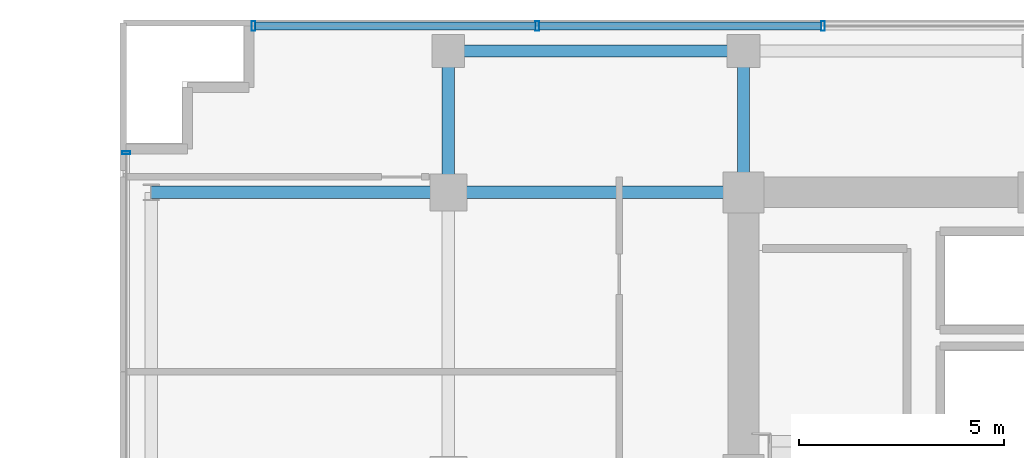
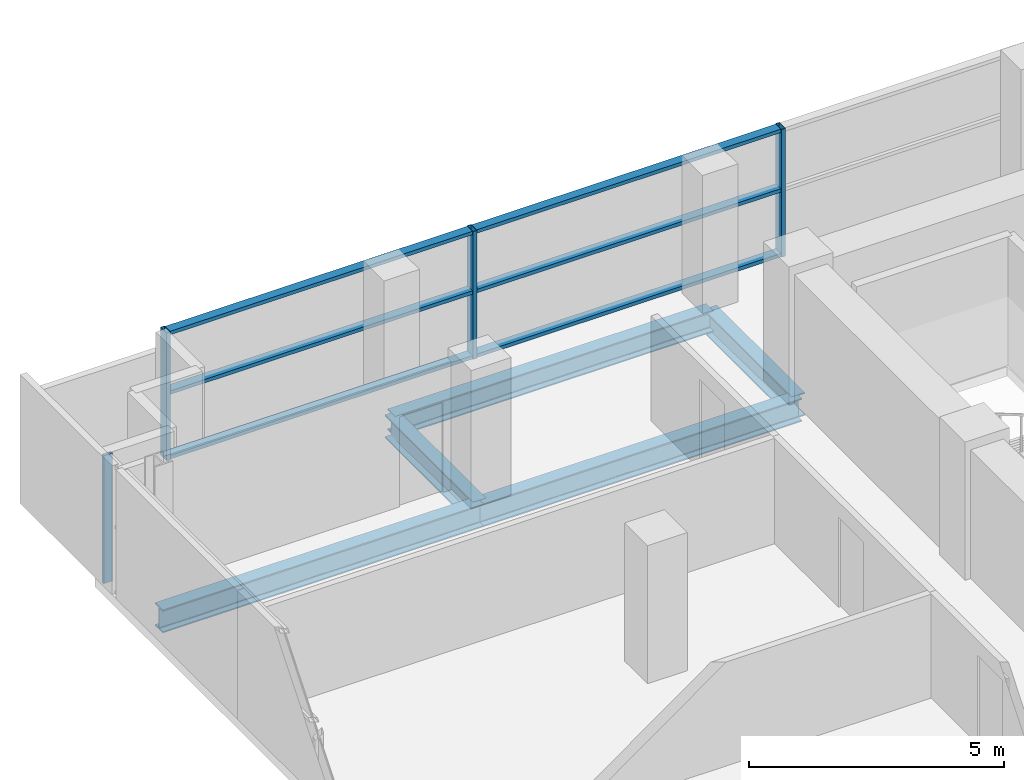
# One storey, part 15 of 28: 10 members, 5 beams, 2 elements without a shape of their own.
"""IFC4 building model written with IfcOpenShell, lengths in metres."""

import ifcopenshell
import ifcopenshell.guid

model = None  # the IFC model being written
_history = None  # IfcOwnerHistory: only IFC2X3 demands one
_inside = {}  # id of a spatial element -> (the spatial element, [elements in it])
_under = {}  # id of a project, library or spatial element -> (it, [spatial elements below it])
_declared = {}  # id of a project -> (the project, [libraries it declares])
_typed = {}  # id of a type object -> (the type object, [elements of that type])
_made_of = {}  # id of a material, layer set ... -> (it, [elements and type objects made of it])


def new_model(schema):
    """Start an empty IFC model of exactly this schema.

    Asked for "IFC4X3", IfcOpenShell would pick the latest addendum, in which some entities
    have other attributes; the version numbers below select the first issue.
    IFC2X3 requires an IfcOwnerHistory on every rooted entity: one is made here for all.
    """
    global model, _history
    if schema == "IFC4X3":
        model = ifcopenshell.file(schema_version=(4, 3, 0, 0))
    else:
        model = ifcopenshell.file(schema=schema)
    _inside.clear()
    _under.clear()
    _declared.clear()
    _typed.clear()
    _made_of.clear()
    _history = None
    if model.schema == "IFC2X3":
        org = make("IfcOrganization", Name="unknown")
        user = make(
            "IfcPersonAndOrganization",
            ThePerson=make("IfcPerson", FamilyName="unknown"),
            TheOrganization=org,
        )
        app = make(
            "IfcApplication",
            ApplicationDeveloper=org,
            Version="unknown",
            ApplicationFullName="unknown",
            ApplicationIdentifier="unknown",
        )
        _history = make(
            "IfcOwnerHistory",
            OwningUser=user,
            OwningApplication=app,
            ChangeAction="ADDED",
            CreationDate=0,
        )
    return model


def make(cls, **values):
    """One entity of the class cls with the attributes given. An attribute that is None is left unset."""
    return model.create_entity(
        cls, **{name: value for name, value in values.items() if value is not None}
    )


def rooted(cls, **values):
    """An entity with a GlobalId (a new one), such as an element, a storey or a relation."""
    return make(cls, GlobalId=ifcopenshell.guid.new(), OwnerHistory=_history, **values)


def si_unit(unit_type, name, prefix=None):
    """IfcSIUnit, for example si_unit("LENGTHUNIT", "METRE", prefix="MILLI")."""
    return make("IfcSIUnit", UnitType=unit_type, Prefix=prefix, Name=name)


def assignment(units):
    """IfcUnitAssignment: the units of a project."""
    return None if units is None else make("IfcUnitAssignment", Units=units)


def point(xyz):
    """IfcCartesianPoint."""
    return None if xyz is None else make("IfcCartesianPoint", Coordinates=xyz)


def direction(xyz):
    """IfcDirection."""
    return None if xyz is None else make("IfcDirection", DirectionRatios=xyz)


def frame(location, z_axis=None, x_axis=None):
    """IfcAxis2Placement3D, a coordinate frame: its origin and axes. An axis left out is left unset."""
    return make(
        "IfcAxis2Placement3D",
        Location=point(location),
        Axis=direction(z_axis),
        RefDirection=direction(x_axis),
    )


def frame_2d(location, x_axis=None):
    """IfcAxis2Placement2D, a coordinate frame in the plane: its origin and x axis."""
    return make(
        "IfcAxis2Placement2D", Location=point(location), RefDirection=direction(x_axis)
    )


def origin():
    """The frame at (0, 0, 0) with its axes left unset."""
    return frame((0.0, 0.0, 0.0))


def origin_2d():
    """The frame at (0, 0) in the plane with its x axis left unset."""
    return frame_2d((0.0, 0.0))


def place(relative_to, where):
    """IfcLocalPlacement: puts the frame where relative to a parent placement (None: the world)."""
    return make(
        "IfcLocalPlacement", PlacementRelTo=relative_to, RelativePlacement=where
    )


def context(
    kind, dimensions, precision=None, world=None, true_north=None, identifier=None
):
    """IfcGeometricRepresentationContext, for example the 3D "Model" context."""
    return make(
        "IfcGeometricRepresentationContext",
        ContextIdentifier=identifier,
        ContextType=kind,
        CoordinateSpaceDimension=dimensions,
        Precision=precision,
        WorldCoordinateSystem=world,
        TrueNorth=true_north,
    )


def subcontext(parent, identifier, kind, view, scale=None):
    """IfcGeometricRepresentationSubContext, for example "Body" below "Model"."""
    return make(
        "IfcGeometricRepresentationSubContext",
        ContextIdentifier=identifier,
        ContextType=kind,
        ParentContext=parent,
        TargetScale=scale,
        TargetView=view,
    )


def project(units=None, contexts=None):
    """IfcProject with its units and contexts."""
    return rooted(
        "IfcProject",
        Name="project",
        RepresentationContexts=contexts,
        UnitsInContext=assignment(units),
    )


def spatial(cls, under=None, at=None, **own):
    """A site, building, storey or space (cls), placed at a placement, below another one or the project."""
    s = rooted(cls, ObjectPlacement=at, **own)
    if under is not None:
        _under.setdefault(under.id(), (under, []))[1].append(s)
    return s


def profile(cls, at=None, kind="AREA", **sizes):
    """A parametric profile (cls). Its sizes go by their IFC names, for example OverallWidth=200.0."""
    return make(cls, ProfileType=kind, Position=at, **sizes)


def hollow_rectangle(**sizes):
    """IfcRectangleHollowProfileDef."""
    return profile("IfcRectangleHollowProfileDef", **sizes)


def i_section(**sizes):
    """IfcIShapeProfileDef."""
    return profile("IfcIShapeProfileDef", **sizes)


def extrude(swept, where, along, depth):
    """IfcExtrudedAreaSolid: the profile swept, set in the frame where, extruded along a direction by depth."""
    return make(
        "IfcExtrudedAreaSolid",
        SweptArea=swept,
        Position=where,
        ExtrudedDirection=direction(along),
        Depth=depth,
    )


def shape(context_of_items, identifier, shape_type, items):
    """IfcShapeRepresentation: the items that make up one representation, for example the "Body"."""
    return make(
        "IfcShapeRepresentation",
        ContextOfItems=context_of_items,
        RepresentationIdentifier=identifier,
        RepresentationType=shape_type,
        Items=items,
    )


def source(mapping_origin, context_of_items, identifier, shape_type, items):
    """IfcRepresentationMap: a shape defined once, which mapped items show again and again."""
    return make(
        "IfcRepresentationMap",
        MappingOrigin=mapping_origin,
        MappedRepresentation=shape(context_of_items, identifier, shape_type, items),
    )


def transform(
    local_origin,
    x_axis=None,
    y_axis=None,
    z_axis=None,
    scale=None,
    scale2=None,
    scale3=None,
    uniform=True,
):
    """IfcCartesianTransformationOperator3D, or its non-uniform kind. x_axis, y_axis, z_axis: its Axis1, 2, 3."""
    if uniform:
        return make(
            "IfcCartesianTransformationOperator3D",
            Axis1=direction(x_axis),
            Axis2=direction(y_axis),
            LocalOrigin=point(local_origin),
            Scale=scale,
            Axis3=direction(z_axis),
        )
    return make(
        "IfcCartesianTransformationOperator3DnonUniform",
        Axis1=direction(x_axis),
        Axis2=direction(y_axis),
        LocalOrigin=point(local_origin),
        Scale=scale,
        Axis3=direction(z_axis),
        Scale2=scale2,
        Scale3=scale3,
    )


def mapped(mapping_source, mapping_target):
    """IfcMappedItem: shows the shape of a source again, moved by a transform."""
    return make(
        "IfcMappedItem", MappingSource=mapping_source, MappingTarget=mapping_target
    )


def material(Name=None, Category=None):
    """IfcMaterial."""
    return make("IfcMaterial", Name=Name, Category=Category)


def layer(
    of_material, thickness, ventilated=None, Name=None, Category=None, Priority=None
):
    """IfcMaterialLayer: one layer of a wall or slab, of a material (None: an air gap)."""
    return make(
        "IfcMaterialLayer",
        Material=of_material,
        LayerThickness=thickness,
        IsVentilated=ventilated,
        Name=Name,
        Category=Category,
        Priority=Priority,
    )


def layer_set(layers, Name=None):
    """IfcMaterialLayerSet."""
    return make("IfcMaterialLayerSet", MaterialLayers=layers, LayerSetName=Name)


def material_profile(
    of_material, cross_section, Name=None, Category=None, Priority=None
):
    """IfcMaterialProfile: a cross section and its material."""
    return make(
        "IfcMaterialProfile",
        Name=Name,
        Material=of_material,
        Profile=cross_section,
        Priority=Priority,
        Category=Category,
    )


def profile_set(profiles, Name=None, composite=None):
    """IfcMaterialProfileSet."""
    return make(
        "IfcMaterialProfileSet",
        Name=Name,
        MaterialProfiles=profiles,
        CompositeProfile=composite,
    )


def made_of(thing, what):
    """Note that an element or type object is made of a material, layer set ...; save() writes the relation."""
    if what is not None:
        _made_of.setdefault(what.id(), (what, []))[1].append(thing)
    return thing


def type_object(cls, material=None, **own):
    """A type object (cls), such as IfcWallType, which elements share."""
    return made_of(rooted(cls, **own), material)


def element(
    cls,
    number,
    at=None,
    inside=None,
    cuts=None,
    type_object=None,
    material=None,
    context=None,
    identifier="Body",
    shape_type=None,
    held_by="IfcProductDefinitionShape",
    body=None,
    shapes=None,
    **own,
):
    """One element of the class cls, such as IfcWall. Its Tag is "e" and its number.

    at: its placement. inside: the storey or other place that contains it. cuts: it is an
    opening in that element (IfcRelVoidsElement). A single representation is given by context,
    identifier, shape_type and body (its items); several are given by shapes. held_by: the class
    of the entity that holds the representations. save() writes the other relations.
    """
    e = rooted(cls, Tag="e%d" % number, ObjectPlacement=at, **own)
    if body is not None:
        shapes = [shape(context, identifier, shape_type, body)]
    if shapes is not None:
        e.Representation = make(held_by, Representations=shapes)
    if inside is not None:
        _inside.setdefault(inside.id(), (inside, []))[1].append(e)
    if cuts is not None:
        rooted(
            "IfcRelVoidsElement", RelatingBuildingElement=cuts, RelatedOpeningElement=e
        )
    if type_object is not None:
        _typed.setdefault(type_object.id(), (type_object, []))[1].append(e)
    return made_of(e, material)


def aggregate(whole, parts):
    """IfcRelAggregates: a whole, such as a stair, and the parts it consists of."""
    return rooted("IfcRelAggregates", RelatingObject=whole, RelatedObjects=parts)


def save(model, path):
    """Write the relations noted so far, then the file.

    IfcRelAggregates (storeys below a building ...), IfcRelContainedInSpatialStructure (elements
    in a storey), IfcRelDefinesByType, IfcRelAssociatesMaterial and IfcRelDeclares: one each for
    every whole, place, type object, material and project.
    """
    for whole, parts in _under.values():
        aggregate(whole, parts)
    for where, things in _inside.values():
        rooted(
            "IfcRelContainedInSpatialStructure",
            RelatedElements=things,
            RelatingStructure=where,
        )
    for kind, things in _typed.values():
        rooted("IfcRelDefinesByType", RelatedObjects=things, RelatingType=kind)
    for what, things in _made_of.values():
        rooted("IfcRelAssociatesMaterial", RelatedObjects=things, RelatingMaterial=what)
    for by, libraries in _declared.values():
        rooted("IfcRelDeclares", RelatingContext=by, RelatedDefinitions=libraries)
    model.write(path)


model = new_model("IFC4")

# Units and contexts
model_context = context("Model", 3, precision=1e-05, world=origin(), true_north=direction((0.0, 1.0)))
body_context = subcontext(model_context, "Body", "Model", "MODEL_VIEW")
ifc_project = project(units=[si_unit("LENGTHUNIT", "METRE"), si_unit("AREAUNIT", "SQUARE_METRE"), si_unit("VOLUMEUNIT", "CUBIC_METRE"), si_unit("PLANEANGLEUNIT", "RADIAN"), si_unit("MASSUNIT", "GRAM", prefix="KILO")], contexts=[model_context])

# Site, building, storey
site_placement = place(None, origin())
site = spatial("IfcSite", under=ifc_project, at=site_placement, CompositionType="ELEMENT")
building_placement = place(site_placement, origin())
building = spatial("IfcBuilding", under=site, at=building_placement, Name="Zarnakvel Exchange Tower", CompositionType="ELEMENT")
storey_placement = place(building_placement, frame((0.0, 0.0, 109.89990234375)))
storey = spatial("IfcBuildingStorey", under=building, at=storey_placement, Name="L30", CompositionType="ELEMENT", Elevation=109.89990234375)

# Beams
ifc_material_1 = material(Name="Steel S355", Category="steel")
ifc_material_profile_1 = material_profile(ifc_material_1, i_section(OverallWidth=0.300048828125, OverallDepth=0.550048828125, WebThickness=0.014892578125, FlangeThickness=0.029052734375, FilletRadius=0.027099609375, at=origin_2d()))
ifc_profile_set_1 = profile_set([ifc_material_profile_1], Name="Steel S355")
beam_type_1 = type_object("IfcBeamType", Name="G-05", PredefinedType="BEAM", material=ifc_profile_set_1)
beam_1_placement = place(storey_placement, frame((-28.85009765625, 13.5, -0.5), z_axis=(1.0, 0.0, 0.0), x_axis=(0.0, 1.0, 0.0)))
element("IfcBeam", 1, at=beam_1_placement, inside=storey, type_object=beam_type_1, Name="L30 Tower E-W Frame Beam", PredefinedType="BEAM", context=body_context, shape_type="SweptSolid", body=[
    extrude(i_section(OverallWidth=0.300048828125, OverallDepth=0.550048828125, WebThickness=0.014892578125, FlangeThickness=0.029052734375, FilletRadius=0.027099609375, at=origin_2d()), origin(), (0.0, 0.0, 1.0), 7.25),
])
beam_2_placement = place(storey_placement, frame((-21.60009765625, 13.5, -0.5), z_axis=(1.0, 0.0, 0.0), x_axis=(0.0, 1.0, 0.0)))
element("IfcBeam", 2, at=beam_2_placement, inside=storey, type_object=beam_type_1, Name="L30 Tower E-W Frame Beam", PredefinedType="BEAM", context=body_context, shape_type="SweptSolid", body=[
    extrude(i_section(OverallWidth=0.300048828125, OverallDepth=0.550048828125, WebThickness=0.014892578125, FlangeThickness=0.029052734375, FilletRadius=0.027099609375, at=origin_2d()), origin(), (0.0, 0.0, 1.0), 7.2001953125),
])
for number, where, z_axis, x_axis, name in (
    (3, (-21.60009765625, 13.5, -0.5), (0.0, 1.0, 0.0), (-1.0, 0.0, 0.0), "L30 Tower N-S Frame Beam"),
    (4, (-14.39990234375, 13.5, -0.5), (0.0, 1.0, 0.0), (-1.0, 0.0, 0.0), "L30 Tower N-S Frame Beam"),
):
    element("IfcBeam", number, at=place(storey_placement, frame(where, z_axis=z_axis, x_axis=x_axis)), inside=storey, type_object=beam_type_1, Name=name, PredefinedType="BEAM", context=body_context, shape_type="SweptSolid", body=[
        extrude(i_section(OverallWidth=0.300048828125, OverallDepth=0.550048828125, WebThickness=0.014892578125, FlangeThickness=0.029052734375, FilletRadius=0.027099609375, at=origin_2d()), origin(), (0.0, 0.0, 1.0), 3.449951171875),
    ])
ifc_material_profile_2 = material_profile(ifc_material_1, i_section(OverallWidth=0.300048828125, OverallDepth=0.5, WebThickness=0.014404296875, FlangeThickness=0.028076171875, FilletRadius=0.027099609375, at=origin_2d()))
ifc_profile_set_2 = profile_set([ifc_material_profile_2], Name="Steel S355")
beam_type_2 = type_object("IfcBeamType", Name="SP-02", PredefinedType="SPANDREL", material=ifc_profile_set_2)
beam_3_placement = place(storey_placement, frame((-21.60009765625, 16.949951171875, -0.474853515625), z_axis=(1.0, 0.0, 0.0), x_axis=(0.0, 1.0, 0.0)))
element("IfcBeam", 5, at=beam_3_placement, inside=storey, type_object=beam_type_2, Name="L30 Tower E-W Frame Beam", PredefinedType="SPANDREL", context=body_context, shape_type="SweptSolid", body=[
    extrude(i_section(OverallWidth=0.300048828125, OverallDepth=0.5, WebThickness=0.014404296875, FlangeThickness=0.028076171875, FilletRadius=0.027099609375, at=origin_2d()), origin(), (0.0, 0.0, 1.0), 7.2001953125),
])

# Curtain wall, members
ifc_material_2 = material(Name="Architectural Bronze Anodised Aluminium", Category="aluminium")
ifc_layer_1 = layer(ifc_material_2, 0.239990234375)
ifc_layer_set_1 = layer_set([ifc_layer_1], Name="Architectural Bronze Anodised Aluminium")
curtain_wall_type_1 = type_object("IfcCurtainWallType", Name="CW-02", PredefinedType="NOTDEFINED", material=ifc_layer_set_1)
curtain_wall_1_placement = place(storey_placement, origin())
curtain_wall_1 = element("IfcCurtainWall", 6, at=curtain_wall_1_placement, inside=storey, type_object=curtain_wall_type_1, Name="L30 Curtain Wall CW-L30-N1 (CW-02)", PredefinedType="NOTDEFINED")
ifc_material_profile_3 = material_profile(ifc_material_2, hollow_rectangle(XDim=0.239990234375, YDim=0.090087890625, WallThickness=0.006103515625, at=origin_2d()))
ifc_profile_set_3 = profile_set([ifc_material_profile_3], Name="Architectural Bronze Anodised Aluminium")
member_type_1 = type_object("IfcMemberType", Name="CWM-02", PredefinedType="MULLION", material=ifc_profile_set_3)
shared_shape_1 = source(origin(), body_context, "Body", "SweptSolid", [
    extrude(hollow_rectangle(XDim=0.239990234375, YDim=0.090087890625, WallThickness=0.006103515625, at=origin_2d()), origin(), (0.0, 0.0, 1.0), 3.05517578125),
])
member_1_placement = place(storey_placement, frame((-26.35498046875, 17.56005859375, 0.0), z_axis=(0.0, 0.0, 1.0), x_axis=(0.0, 1.0, 0.0)))
member_1 = element("IfcMember", 7, at=member_1_placement, type_object=member_type_1, Name="CW-02 mullion 1", PredefinedType="MULLION", context=body_context, shape_type="MappedRepresentation", body=[
    mapped(shared_shape_1, transform((0.0, 0.0, 0.0), x_axis=(1.0, 0.0, 0.0), y_axis=(0.0, 1.0, 0.0), z_axis=(0.0, 0.0, 1.0), scale=1.0)),
])
member_2_placement = place(storey_placement, frame((-19.428466796875, 17.56005859375, 0.0), z_axis=(0.0, 0.0, 1.0), x_axis=(0.0, 1.0, 0.0)))
member_2 = element("IfcMember", 8, at=member_2_placement, type_object=member_type_1, Name="CW-02 mullion 2", PredefinedType="MULLION", context=body_context, shape_type="MappedRepresentation", body=[
    mapped(shared_shape_1, transform((0.0, 0.0, 0.0), x_axis=(1.0, 0.0, 0.0), y_axis=(0.0, 1.0, 0.0), z_axis=(0.0, 0.0, 1.0), scale=1.0)),
])
member_3_placement = place(storey_placement, frame((-12.45703125, 17.56005859375, 0.0), z_axis=(0.0, 0.0, 1.0), x_axis=(0.0, 1.0, 0.0)))
member_3 = element("IfcMember", 9, at=member_3_placement, type_object=member_type_1, Name="CW-02 mullion 3", PredefinedType="MULLION", context=body_context, shape_type="MappedRepresentation", body=[
    mapped(shared_shape_1, transform((0.0, 0.0, 0.0), x_axis=(1.0, 0.0, 0.0), y_axis=(0.0, 1.0, 0.0), z_axis=(0.0, 0.0, 1.0), scale=1.0)),
])

# Curtain wall, member
ifc_layer_2 = layer(ifc_material_2, 0.199951171875)
ifc_layer_set_2 = layer_set([ifc_layer_2], Name="Architectural Bronze Anodised Aluminium")
curtain_wall_type_2 = type_object("IfcCurtainWallType", Name="CW-04", PredefinedType="NOTDEFINED", material=ifc_layer_set_2)
curtain_wall_2_placement = place(storey_placement, origin())
curtain_wall_2 = element("IfcCurtainWall", 10, at=curtain_wall_2_placement, inside=storey, type_object=curtain_wall_type_2, Name="L30 Curtain Wall CW-L30-WN (CW-04)", PredefinedType="NOTDEFINED")
ifc_material_profile_4 = material_profile(ifc_material_2, hollow_rectangle(XDim=0.199951171875, YDim=0.074951171875, WallThickness=0.0048828125, at=origin_2d()))
ifc_profile_set_4 = profile_set([ifc_material_profile_4], Name="Architectural Bronze Anodised Aluminium")
member_type_2 = type_object("IfcMemberType", Name="CWM-04", PredefinedType="MULLION", material=ifc_profile_set_4)
shared_shape_2 = source(origin(), body_context, "Body", "SweptSolid", [
    extrude(hollow_rectangle(XDim=0.199951171875, YDim=0.074951171875, WallThickness=0.0048828125, at=origin_2d()), origin(), (0.0, 0.0, 1.0), 3.05517578125),
])
member_4_placement = place(storey_placement, frame((-29.4599609375, 14.46240234375, 0.0), z_axis=(0.0, 0.0, 1.0), x_axis=(-1.0, 0.0, 0.0)))
member_4 = element("IfcMember", 11, at=member_4_placement, type_object=member_type_2, Name="CW-04 mullion 3", PredefinedType="MULLION", context=body_context, shape_type="MappedRepresentation", body=[
    mapped(shared_shape_2, transform((0.0, 0.0, 0.0), x_axis=(1.0, 0.0, 0.0), y_axis=(0.0, 1.0, 0.0), z_axis=(0.0, 0.0, 1.0), scale=1.0)),
])
aggregate(curtain_wall_2, [member_4])

# Member
ifc_material_profile_5 = material_profile(ifc_material_2, hollow_rectangle(XDim=0.199951171875, YDim=0.0849609375, WallThickness=0.0048828125, at=origin_2d()))
ifc_profile_set_5 = profile_set([ifc_material_profile_5], Name="Architectural Bronze Anodised Aluminium")
member_type_3 = type_object("IfcMemberType", Name="CWT-02", PredefinedType="USERDEFINED", material=ifc_profile_set_5)
shared_shape_3 = source(origin(), body_context, "Body", "SweptSolid", [
    extrude(hollow_rectangle(XDim=0.199951171875, YDim=0.0849609375, WallThickness=0.0048828125, at=origin_2d()), origin(), (0.0, 0.0, 1.0), 6.83642578125),
])
member_5_placement = place(storey_placement, frame((-26.31005859375, 17.56005859375, 0.04248046875), z_axis=(1.0, 0.0, 0.0), x_axis=(0.0, 1.0, 0.0)))
member_5 = element("IfcMember", 12, at=member_5_placement, type_object=member_type_3, Name="CW-02 transom 1.1", ObjectType="TRANSOM", PredefinedType="USERDEFINED", context=body_context, shape_type="MappedRepresentation", body=[
    mapped(shared_shape_3, transform((0.0, 0.0, 0.0), x_axis=(1.0, 0.0, 0.0), y_axis=(0.0, 1.0, 0.0), z_axis=(0.0, 0.0, 1.0), scale=1.0)),
])

member_6_placement = place(storey_placement, frame((-26.31005859375, 17.56005859375, 1.588623046875), z_axis=(1.0, 0.0, 0.0), x_axis=(0.0, 1.0, 0.0)))
member_6 = element("IfcMember", 13, at=member_6_placement, type_object=member_type_3, Name="CW-02 transom 1.2", ObjectType="TRANSOM", PredefinedType="USERDEFINED", context=body_context, shape_type="MappedRepresentation", body=[
    mapped(shared_shape_3, transform((0.0, 0.0, 0.0), x_axis=(1.0, 0.0, 0.0), y_axis=(0.0, 1.0, 0.0), z_axis=(0.0, 0.0, 1.0), scale=1.0)),
])

member_7_placement = place(storey_placement, frame((-26.31005859375, 17.56005859375, 3.0126953125), z_axis=(1.0, 0.0, 0.0), x_axis=(0.0, 1.0, 0.0)))
member_7 = element("IfcMember", 14, at=member_7_placement, type_object=member_type_3, Name="CW-02 transom 1.3", ObjectType="TRANSOM", PredefinedType="USERDEFINED", context=body_context, shape_type="MappedRepresentation", body=[
    mapped(shared_shape_3, transform((0.0, 0.0, 0.0), x_axis=(1.0, 0.0, 0.0), y_axis=(0.0, 1.0, 0.0), z_axis=(0.0, 0.0, 1.0), scale=1.0)),
])

shared_shape_4 = source(origin(), body_context, "Body", "SweptSolid", [
    extrude(hollow_rectangle(XDim=0.199951171875, YDim=0.0849609375, WallThickness=0.0048828125, at=origin_2d()), origin(), (0.0, 0.0, 1.0), 6.88134765625),
])
member_8_placement = place(storey_placement, frame((-19.383544921875, 17.56005859375, 0.04248046875), z_axis=(1.0, 0.0, 0.0), x_axis=(0.0, 1.0, 0.0)))
member_8 = element("IfcMember", 15, at=member_8_placement, type_object=member_type_3, Name="CW-02 transom 2.1", ObjectType="TRANSOM", PredefinedType="USERDEFINED", context=body_context, shape_type="MappedRepresentation", body=[
    mapped(shared_shape_4, transform((0.0, 0.0, 0.0), x_axis=(1.0, 0.0, 0.0), y_axis=(0.0, 1.0, 0.0), z_axis=(0.0, 0.0, 1.0), scale=1.0)),
])

member_9_placement = place(storey_placement, frame((-19.383544921875, 17.56005859375, 1.588623046875), z_axis=(1.0, 0.0, 0.0), x_axis=(0.0, 1.0, 0.0)))
member_9 = element("IfcMember", 16, at=member_9_placement, type_object=member_type_3, Name="CW-02 transom 2.2", ObjectType="TRANSOM", PredefinedType="USERDEFINED", context=body_context, shape_type="MappedRepresentation", body=[
    mapped(shared_shape_4, transform((0.0, 0.0, 0.0), x_axis=(1.0, 0.0, 0.0), y_axis=(0.0, 1.0, 0.0), z_axis=(0.0, 0.0, 1.0), scale=1.0)),
])

member_10_placement = place(storey_placement, frame((-19.383544921875, 17.56005859375, 3.0126953125), z_axis=(1.0, 0.0, 0.0), x_axis=(0.0, 1.0, 0.0)))
member_10 = element("IfcMember", 17, at=member_10_placement, type_object=member_type_3, Name="CW-02 transom 2.3", ObjectType="TRANSOM", PredefinedType="USERDEFINED", context=body_context, shape_type="MappedRepresentation", body=[
    mapped(shared_shape_4, transform((0.0, 0.0, 0.0), x_axis=(1.0, 0.0, 0.0), y_axis=(0.0, 1.0, 0.0), z_axis=(0.0, 0.0, 1.0), scale=1.0)),
])

aggregate(curtain_wall_1, [member_1, member_2, member_3, member_5, member_6, member_7, member_8, member_9, member_10])

save(model, "model.ifc")
